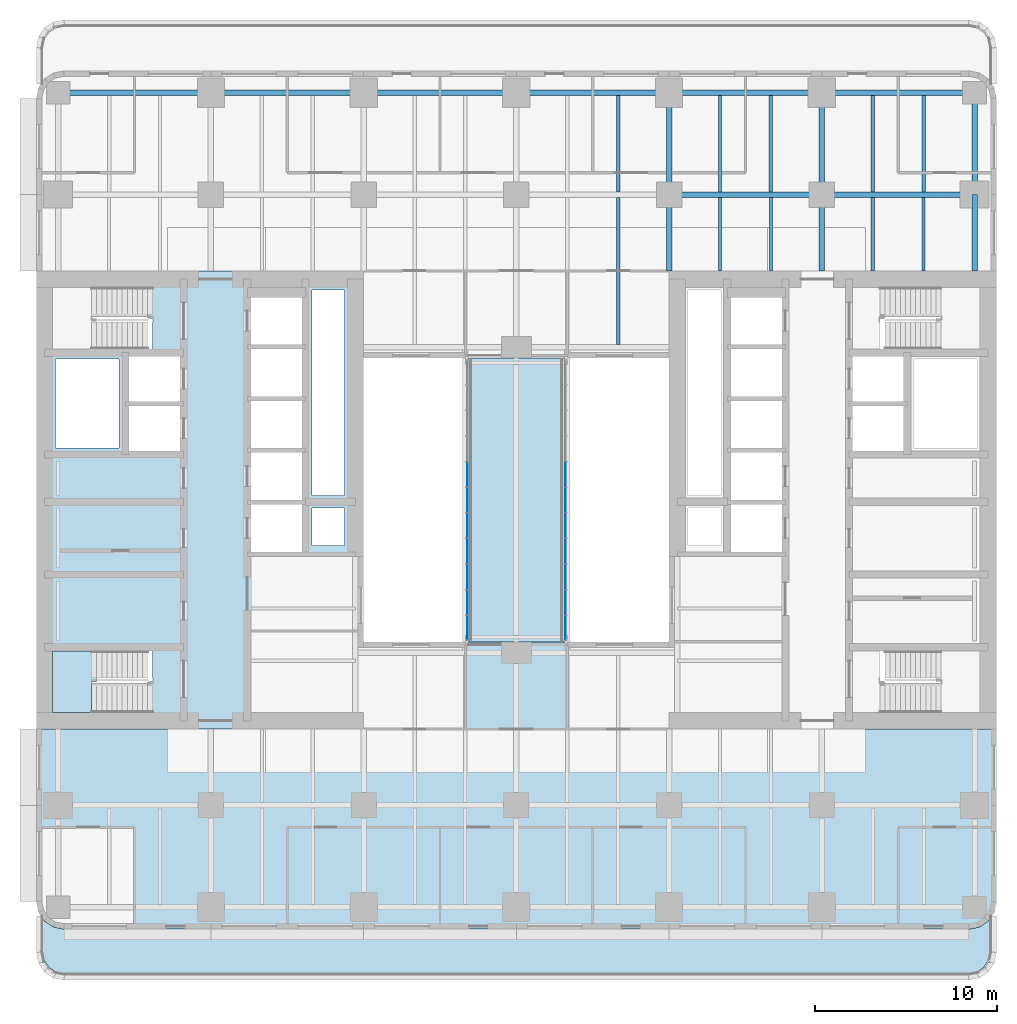
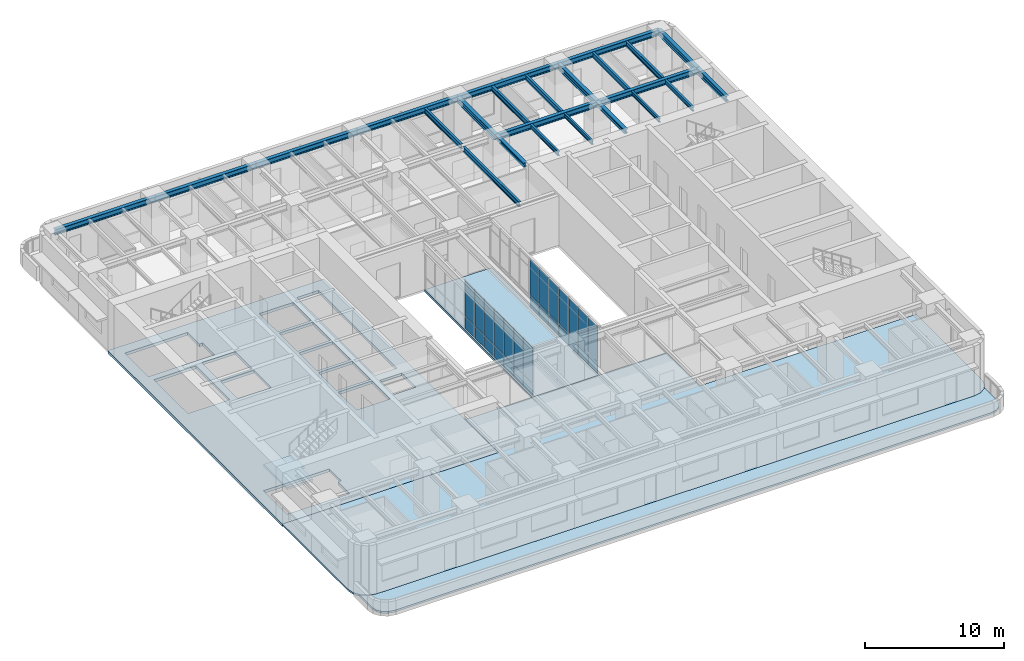
# One storey, part 6 of 17: 28 plates, 24 beams, 5 slabs, 3 elements without a shape of their own.
"""IFC4 building model written with IfcOpenShell, lengths in metres."""

from ifc_helpers import new_model, si_unit, direction, frame, origin, origin_2d, place, context, subcontext, project, spatial, polyline, rectangle, i_section, outline, extrude, material, layer, layer_set, material_profile, profile_set, type_object, element, aggregate, save


model = new_model("IFC4")

# Units and contexts
model_context = context("Model", 3, precision=1e-05, world=origin(), true_north=direction((0.0, 1.0)))
body_context = subcontext(model_context, "Body", "Model", "MODEL_VIEW")
ifc_project = project(units=[si_unit("LENGTHUNIT", "METRE"), si_unit("AREAUNIT", "SQUARE_METRE"), si_unit("VOLUMEUNIT", "CUBIC_METRE"), si_unit("PLANEANGLEUNIT", "RADIAN"), si_unit("MASSUNIT", "GRAM", prefix="KILO")], contexts=[model_context])

# Site, building, storey
site_placement = place(None, origin())
site = spatial("IfcSite", under=ifc_project, at=site_placement, CompositionType="ELEMENT")
building_placement = place(site_placement, origin())
building = spatial("IfcBuilding", under=site, at=building_placement, Name="Claustro Exchange Tower", CompositionType="ELEMENT")
storey_placement = place(building_placement, frame((0.0, 0.0, 96.300048828125)))
storey = spatial("IfcBuildingStorey", under=building, at=storey_placement, Name="L21", CompositionType="ELEMENT", Elevation=96.300048828125)

# Beams
ifc_material_1 = material(Name="Steel S355", Category="steel")
ifc_material_profile_1 = material_profile(ifc_material_1, i_section(OverallWidth=0.169921875, OverallDepth=0.360107421875, WebThickness=0.008056640625, FlangeThickness=0.0126953125, FilletRadius=0.01806640625, at=origin_2d()), Name="IPE 360")
ifc_profile_set_1 = profile_set([ifc_material_profile_1], Name="Steel S355")
beam_type_1 = type_object("IfcBeamType", Name="B16 IPE 360 short-span beam", PredefinedType="BEAM", material=ifc_profile_set_1)
for number, where, z_axis, x_axis, name in (
    (1, (36.39990234375, 37.7900390625, 4.169921875), (0.0, 1.0, 0.0), (-1.0, 0.0, 0.0), "Beam B16 L22"),
    (2, (39.199951171875, 37.7900390625, 4.169921875), (0.0, 1.0, 0.0), (-1.0, 0.0, 0.0), "Beam B16 L22"),
    (3, (44.800048828125, 37.7900390625, 4.169921875), (0.0, 1.0, 0.0), (-1.0, 0.0, 0.0), "Beam B16 L22"),
    (4, (47.60009765625, 37.7900390625, 4.169921875), (0.0, 1.0, 0.0), (-1.0, 0.0, 0.0), "Beam B16 L22"),
):
    element("IfcBeam", number, at=place(storey_placement, frame(where, z_axis=z_axis, x_axis=x_axis)), inside=storey, type_object=beam_type_1, Name=name, PredefinedType="BEAM", context=body_context, shape_type="SweptSolid", body=[
        extrude(i_section(OverallWidth=0.169921875, OverallDepth=0.360107421875, WebThickness=0.008056640625, FlangeThickness=0.0126953125, FilletRadius=0.01806640625, at=origin_2d()), origin(), (0.0, 0.0, 1.0), 4.06005859375),
    ])
ifc_material_2 = material(Name="Steel S355", Category="steel")
ifc_material_profile_2 = material_profile(ifc_material_2, i_section(OverallWidth=0.300048828125, OverallDepth=0.360107421875, WebThickness=0.012451171875, FlangeThickness=0.0224609375, FilletRadius=0.027099609375, at=origin_2d()), Name="HE 360 B")
ifc_profile_set_2 = profile_set([ifc_material_profile_2], Name="Steel S355")
beam_type_2 = type_object("IfcBeamType", Name="B29 HE 360 B column to core link beam", PredefinedType="BEAM", material=ifc_profile_set_2)
for number, where, z_axis, x_axis, name in (
    (5, (33.60009765625, 37.800048828125, 4.169921875), (0.0, 1.0, 0.0), (-1.0, 0.0, 0.0), "Beam B29 L22"),
    (6, (42.0, 37.800048828125, 4.169921875), (0.0, 1.0, 0.0), (-1.0, 0.0, 0.0), "Beam B29 L22"),
):
    element("IfcBeam", number, at=place(storey_placement, frame(where, z_axis=z_axis, x_axis=x_axis)), inside=storey, type_object=beam_type_2, Name=name, PredefinedType="BEAM", context=body_context, shape_type="SweptSolid", body=[
        extrude(i_section(OverallWidth=0.300048828125, OverallDepth=0.360107421875, WebThickness=0.012451171875, FlangeThickness=0.0224609375, FilletRadius=0.027099609375, at=origin_2d()), origin(), (0.0, 0.0, 1.0), 4.199951171875),
    ])
ifc_material_3 = material(Name="Steel S355", Category="steel")
ifc_material_profile_3 = material_profile(ifc_material_3, i_section(OverallWidth=0.300048828125, OverallDepth=0.5, WebThickness=0.014404296875, FlangeThickness=0.028076171875, FilletRadius=0.027099609375, at=origin_2d()), Name="HE 500 B")
ifc_profile_set_3 = profile_set([ifc_material_profile_3], Name="Steel S355")
beam_type_3 = type_object("IfcBeamType", Name="B7 HE 500 B floor girder", PredefinedType="BEAM", material=ifc_profile_set_3)
for number, where, z_axis, x_axis, name in (
    (7, (33.60009765625, 42.0, 4.099853515625), (0.0, 1.0, 0.0), (-1.0, 0.0, 0.0), "Beam B7 L22"),
    (8, (42.0, 42.0, 4.099853515625), (0.0, 1.0, 0.0), (-1.0, 0.0, 0.0), "Beam B7 L22"),
):
    element("IfcBeam", number, at=place(storey_placement, frame(where, z_axis=z_axis, x_axis=x_axis)), inside=storey, type_object=beam_type_3, Name=name, PredefinedType="BEAM", context=body_context, shape_type="SweptSolid", body=[
        extrude(i_section(OverallWidth=0.300048828125, OverallDepth=0.5, WebThickness=0.014404296875, FlangeThickness=0.028076171875, FilletRadius=0.027099609375, at=origin_2d()), origin(), (0.0, 0.0, 1.0), 5.60009765625),
    ])
for number, where, z_axis, x_axis, name in (
    (9, (33.60009765625, 42.0, 4.099853515625), (1.0, 0.0, 0.0), (0.0, 1.0, 0.0), "Beam B7 L22"),
    (10, (42.0, 42.0, 4.099853515625), (1.0, 0.0, 0.0), (0.0, 1.0, 0.0), "Beam B7 L22"),
):
    element("IfcBeam", number, at=place(storey_placement, frame(where, z_axis=z_axis, x_axis=x_axis)), inside=storey, type_object=beam_type_3, Name=name, PredefinedType="BEAM", context=body_context, shape_type="SweptSolid", body=[
        extrude(i_section(OverallWidth=0.300048828125, OverallDepth=0.5, WebThickness=0.014404296875, FlangeThickness=0.028076171875, FilletRadius=0.027099609375, at=origin_2d()), origin(), (0.0, 0.0, 1.0), 8.39990234375),
    ])
ifc_material_4 = material(Name="Steel S355", Category="steel")
ifc_material_profile_4 = material_profile(ifc_material_4, i_section(OverallWidth=0.18994140625, OverallDepth=0.449951171875, WebThickness=0.009521484375, FlangeThickness=0.0146484375, FilletRadius=0.02099609375, at=origin_2d()), Name="IPE 450")
ifc_profile_set_4 = profile_set([ifc_material_profile_4], Name="Steel S355")
beam_type_4 = type_object("IfcBeamType", Name="B8 IPE 450 secondary beam", PredefinedType="BEAM", material=ifc_profile_set_4)
beam_1_placement = place(storey_placement, frame((30.800048828125, 33.75, 4.125), z_axis=(0.0, 1.0, 0.0), x_axis=(-1.0, 0.0, 0.0)))
element("IfcBeam", 11, at=beam_1_placement, inside=storey, type_object=beam_type_4, Name="Beam B8 L22", PredefinedType="BEAM", context=body_context, shape_type="SweptSolid", body=[
    extrude(i_section(OverallWidth=0.18994140625, OverallDepth=0.449951171875, WebThickness=0.009521484375, FlangeThickness=0.0146484375, FilletRadius=0.02099609375, at=origin_2d()), origin(), (0.0, 0.0, 1.0), 8.10009765625),
])
for number, where, z_axis, x_axis, name in (
    (12, (30.800048828125, 42.14990234375, 4.125), (0.0, 1.0, 0.0), (-1.0, 0.0, 0.0), "Beam B8 L22"),
    (13, (36.39990234375, 42.14990234375, 4.125), (0.0, 1.0, 0.0), (-1.0, 0.0, 0.0), "Beam B8 L22"),
    (14, (39.199951171875, 42.14990234375, 4.125), (0.0, 1.0, 0.0), (-1.0, 0.0, 0.0), "Beam B8 L22"),
    (15, (44.800048828125, 42.14990234375, 4.125), (0.0, 1.0, 0.0), (-1.0, 0.0, 0.0), "Beam B8 L22"),
    (16, (47.60009765625, 42.14990234375, 4.125), (0.0, 1.0, 0.0), (-1.0, 0.0, 0.0), "Beam B8 L22"),
):
    element("IfcBeam", number, at=place(storey_placement, frame(where, z_axis=z_axis, x_axis=x_axis)), inside=storey, type_object=beam_type_4, Name=name, PredefinedType="BEAM", context=body_context, shape_type="SweptSolid", body=[
        extrude(i_section(OverallWidth=0.18994140625, OverallDepth=0.449951171875, WebThickness=0.009521484375, FlangeThickness=0.0146484375, FilletRadius=0.02099609375, at=origin_2d()), origin(), (0.0, 0.0, 1.0), 5.300048828125),
    ])
ifc_material_5 = material(Name="Steel S355", Category="steel")
ifc_material_profile_5 = material_profile(ifc_material_5, i_section(OverallWidth=0.300048828125, OverallDepth=0.489990234375, WebThickness=0.011962890625, FlangeThickness=0.02294921875, FilletRadius=0.027099609375, at=origin_2d()), Name="HE 500 A")
ifc_profile_set_5 = profile_set([ifc_material_profile_5], Name="Steel S355")
beam_type_5 = type_object("IfcBeamType", Name="B9 HE 500 A spandrel edge girder", PredefinedType="SPANDREL", material=ifc_profile_set_5)
beam_2_placement = place(storey_placement, frame((50.39990234375, 37.800048828125, 4.10498046875), z_axis=(0.0, 1.0, 0.0), x_axis=(-1.0, 0.0, 0.0)))
element("IfcBeam", 17, at=beam_2_placement, inside=storey, type_object=beam_type_5, Name="Beam B9 L22", PredefinedType="SPANDREL", context=body_context, shape_type="SweptSolid", body=[
    extrude(i_section(OverallWidth=0.300048828125, OverallDepth=0.489990234375, WebThickness=0.011962890625, FlangeThickness=0.02294921875, FilletRadius=0.027099609375, at=origin_2d()), origin(), (0.0, 0.0, 1.0), 4.199951171875),
])
beam_3_placement = place(storey_placement, frame((50.39990234375, 42.0, 4.10498046875), z_axis=(0.0, 1.0, 0.0), x_axis=(-1.0, 0.0, 0.0)))
element("IfcBeam", 18, at=beam_3_placement, inside=storey, type_object=beam_type_5, Name="Beam B9 L22", PredefinedType="SPANDREL", context=body_context, shape_type="SweptSolid", body=[
    extrude(i_section(OverallWidth=0.300048828125, OverallDepth=0.489990234375, WebThickness=0.011962890625, FlangeThickness=0.02294921875, FilletRadius=0.027099609375, at=origin_2d()), origin(), (0.0, 0.0, 1.0), 5.60009765625),
])
beam_4_placement = place(storey_placement, frame((0.0, 47.60009765625, 4.10498046875), z_axis=(1.0, 0.0, 0.0), x_axis=(0.0, 1.0, 0.0)))
element("IfcBeam", 19, at=beam_4_placement, inside=storey, type_object=beam_type_5, Name="Beam B9 L22", PredefinedType="SPANDREL", context=body_context, shape_type="SweptSolid", body=[
    extrude(i_section(OverallWidth=0.300048828125, OverallDepth=0.489990234375, WebThickness=0.011962890625, FlangeThickness=0.02294921875, FilletRadius=0.027099609375, at=origin_2d()), origin(), (0.0, 0.0, 1.0), 8.39990234375),
])
beam_5_placement = place(storey_placement, frame((8.39990234375, 47.60009765625, 4.10498046875), z_axis=(1.0, 0.0, 0.0), x_axis=(0.0, 1.0, 0.0)))
element("IfcBeam", 20, at=beam_5_placement, inside=storey, type_object=beam_type_5, Name="Beam B9 L22", PredefinedType="SPANDREL", context=body_context, shape_type="SweptSolid", body=[
    extrude(i_section(OverallWidth=0.300048828125, OverallDepth=0.489990234375, WebThickness=0.011962890625, FlangeThickness=0.02294921875, FilletRadius=0.027099609375, at=origin_2d()), origin(), (0.0, 0.0, 1.0), 8.400146484375),
])
beam_6_placement = place(storey_placement, frame((16.800048828125, 47.60009765625, 4.10498046875), z_axis=(1.0, 0.0, 0.0), x_axis=(0.0, 1.0, 0.0)))
element("IfcBeam", 21, at=beam_6_placement, inside=storey, type_object=beam_type_5, Name="Beam B9 L22", PredefinedType="SPANDREL", context=body_context, shape_type="SweptSolid", body=[
    extrude(i_section(OverallWidth=0.300048828125, OverallDepth=0.489990234375, WebThickness=0.011962890625, FlangeThickness=0.02294921875, FilletRadius=0.027099609375, at=origin_2d()), origin(), (0.0, 0.0, 1.0), 8.39990234375),
])
beam_7_placement = place(storey_placement, frame((25.199951171875, 47.60009765625, 4.10498046875), z_axis=(1.0, 0.0, 0.0), x_axis=(0.0, 1.0, 0.0)))
element("IfcBeam", 22, at=beam_7_placement, inside=storey, type_object=beam_type_5, Name="Beam B9 L22", PredefinedType="SPANDREL", context=body_context, shape_type="SweptSolid", body=[
    extrude(i_section(OverallWidth=0.300048828125, OverallDepth=0.489990234375, WebThickness=0.011962890625, FlangeThickness=0.02294921875, FilletRadius=0.027099609375, at=origin_2d()), origin(), (0.0, 0.0, 1.0), 8.400146484375),
])
for number, where, z_axis, x_axis, name in (
    (23, (33.60009765625, 47.60009765625, 4.10498046875), (1.0, 0.0, 0.0), (0.0, 1.0, 0.0), "Beam B9 L22"),
    (24, (42.0, 47.60009765625, 4.10498046875), (1.0, 0.0, 0.0), (0.0, 1.0, 0.0), "Beam B9 L22"),
):
    element("IfcBeam", number, at=place(storey_placement, frame(where, z_axis=z_axis, x_axis=x_axis)), inside=storey, type_object=beam_type_5, Name=name, PredefinedType="SPANDREL", context=body_context, shape_type="SweptSolid", body=[
        extrude(i_section(OverallWidth=0.300048828125, OverallDepth=0.489990234375, WebThickness=0.011962890625, FlangeThickness=0.02294921875, FilletRadius=0.027099609375, at=origin_2d()), origin(), (0.0, 0.0, 1.0), 8.39990234375),
    ])

# Curtain wall, plates
ifc_material_6 = material(Name="Aluminium frame, clear double glazing", Category="aluminium")
curtain_wall_type = type_object("IfcCurtainWallType", Name="CW2 sky bridge curtain wall", PredefinedType="USERDEFINED", material=ifc_material_6)
curtain_wall_1_placement = place(storey_placement, origin())
curtain_wall_1 = element("IfcCurtainWall", 25, at=curtain_wall_1_placement, inside=storey, type_object=curtain_wall_type, Name="Curtain wall CW2 L21", ObjectType="STICK CURTAIN WALL", PredefinedType="USERDEFINED")
ifc_material_7 = material(Name="Clear double glazing", Category="glass")
ifc_layer_1 = layer(ifc_material_7, 0.028076171875)
ifc_layer_set_1 = layer_set([ifc_layer_1], Name="Clear double glazing")
plate_type = type_object("IfcPlateType", Name="CW2-P 28 glazed panel", PredefinedType="CURTAIN_PANEL", material=ifc_layer_set_1)
plate_1_placement = place(storey_placement, frame((22.5, 18.16943359375, 0.06005859375), z_axis=(0.0, 0.0, 1.0), x_axis=(0.0, 1.0, 0.0)))
plate_1 = element("IfcPlate", 26, at=plate_1_placement, type_object=plate_type, Name="CW2 panel 1.1", PredefinedType="CURTAIN_PANEL", context=body_context, shape_type="SweptSolid", body=[
    extrude(rectangle(XDim=1.319091796875, YDim=0.028076171875, at=origin_2d()), origin(), (0.0, 0.0, 1.0), 1.010009765625),
])
plate_2_placement = place(storey_placement, frame((22.5, 18.16943359375, 1.1298828125), z_axis=(0.0, 0.0, 1.0), x_axis=(0.0, 1.0, 0.0)))
plate_2 = element("IfcPlate", 27, at=plate_2_placement, type_object=plate_type, Name="CW2 panel 1.2", PredefinedType="CURTAIN_PANEL", context=body_context, shape_type="SweptSolid", body=[
    extrude(rectangle(XDim=1.319091796875, YDim=0.028076171875, at=origin_2d()), origin(), (0.0, 0.0, 1.0), 3.110107421875),
])
plate_3_placement = place(storey_placement, frame((22.5, 19.563720703125, 0.06005859375), z_axis=(0.0, 0.0, 1.0), x_axis=(0.0, 1.0, 0.0)))
plate_3 = element("IfcPlate", 28, at=plate_3_placement, type_object=plate_type, Name="CW2 panel 2.1", PredefinedType="CURTAIN_PANEL", context=body_context, shape_type="SweptSolid", body=[
    extrude(rectangle(XDim=1.34912109375, YDim=0.028076171875, at=origin_2d()), origin(), (0.0, 0.0, 1.0), 1.010009765625),
])
plate_4_placement = place(storey_placement, frame((22.5, 19.563720703125, 1.1298828125), z_axis=(0.0, 0.0, 1.0), x_axis=(0.0, 1.0, 0.0)))
plate_4 = element("IfcPlate", 29, at=plate_4_placement, type_object=plate_type, Name="CW2 panel 2.2", PredefinedType="CURTAIN_PANEL", context=body_context, shape_type="SweptSolid", body=[
    extrude(rectangle(XDim=1.34912109375, YDim=0.028076171875, at=origin_2d()), origin(), (0.0, 0.0, 1.0), 3.110107421875),
])
plate_5_placement = place(storey_placement, frame((22.5, 20.97265625, 0.06005859375), z_axis=(0.0, 0.0, 1.0), x_axis=(0.0, 1.0, 0.0)))
plate_5 = element("IfcPlate", 30, at=plate_5_placement, type_object=plate_type, Name="CW2 panel 3.1", PredefinedType="CURTAIN_PANEL", context=body_context, shape_type="SweptSolid", body=[
    extrude(rectangle(XDim=1.34912109375, YDim=0.028076171875, at=origin_2d()), origin(), (0.0, 0.0, 1.0), 1.010009765625),
])
plate_6_placement = place(storey_placement, frame((22.5, 20.97265625, 1.1298828125), z_axis=(0.0, 0.0, 1.0), x_axis=(0.0, 1.0, 0.0)))
plate_6 = element("IfcPlate", 31, at=plate_6_placement, type_object=plate_type, Name="CW2 panel 3.2", PredefinedType="CURTAIN_PANEL", context=body_context, shape_type="SweptSolid", body=[
    extrude(rectangle(XDim=1.34912109375, YDim=0.028076171875, at=origin_2d()), origin(), (0.0, 0.0, 1.0), 3.110107421875),
])
plate_7_placement = place(storey_placement, frame((22.5, 22.3818359375, 0.06005859375), z_axis=(0.0, 0.0, 1.0), x_axis=(0.0, 1.0, 0.0)))
plate_7 = element("IfcPlate", 32, at=plate_7_placement, type_object=plate_type, Name="CW2 panel 4.1", PredefinedType="CURTAIN_PANEL", context=body_context, shape_type="SweptSolid", body=[
    extrude(rectangle(XDim=1.34912109375, YDim=0.028076171875, at=origin_2d()), origin(), (0.0, 0.0, 1.0), 1.010009765625),
])
plate_8_placement = place(storey_placement, frame((22.5, 22.3818359375, 1.1298828125), z_axis=(0.0, 0.0, 1.0), x_axis=(0.0, 1.0, 0.0)))
plate_8 = element("IfcPlate", 33, at=plate_8_placement, type_object=plate_type, Name="CW2 panel 4.2", PredefinedType="CURTAIN_PANEL", context=body_context, shape_type="SweptSolid", body=[
    extrude(rectangle(XDim=1.34912109375, YDim=0.028076171875, at=origin_2d()), origin(), (0.0, 0.0, 1.0), 3.110107421875),
])
plate_9_placement = place(storey_placement, frame((22.5, 23.791015625, 0.06005859375), z_axis=(0.0, 0.0, 1.0), x_axis=(0.0, 1.0, 0.0)))
plate_9 = element("IfcPlate", 34, at=plate_9_placement, type_object=plate_type, Name="CW2 panel 5.1", PredefinedType="CURTAIN_PANEL", context=body_context, shape_type="SweptSolid", body=[
    extrude(rectangle(XDim=1.34912109375, YDim=0.028076171875, at=origin_2d()), origin(), (0.0, 0.0, 1.0), 1.010009765625),
])
plate_10_placement = place(storey_placement, frame((22.5, 23.791015625, 1.1298828125), z_axis=(0.0, 0.0, 1.0), x_axis=(0.0, 1.0, 0.0)))
plate_10 = element("IfcPlate", 35, at=plate_10_placement, type_object=plate_type, Name="CW2 panel 5.2", PredefinedType="CURTAIN_PANEL", context=body_context, shape_type="SweptSolid", body=[
    extrude(rectangle(XDim=1.34912109375, YDim=0.028076171875, at=origin_2d()), origin(), (0.0, 0.0, 1.0), 3.110107421875),
])
plate_11_placement = place(storey_placement, frame((22.5, 25.199951171875, 0.06005859375), z_axis=(0.0, 0.0, 1.0), x_axis=(0.0, 1.0, 0.0)))
plate_11 = element("IfcPlate", 36, at=plate_11_placement, type_object=plate_type, Name="CW2 panel 6.1", PredefinedType="CURTAIN_PANEL", context=body_context, shape_type="SweptSolid", body=[
    extrude(rectangle(XDim=1.34912109375, YDim=0.028076171875, at=origin_2d()), origin(), (0.0, 0.0, 1.0), 1.010009765625),
])
plate_12_placement = place(storey_placement, frame((22.5, 25.199951171875, 1.1298828125), z_axis=(0.0, 0.0, 1.0), x_axis=(0.0, 1.0, 0.0)))
plate_12 = element("IfcPlate", 37, at=plate_12_placement, type_object=plate_type, Name="CW2 panel 6.2", PredefinedType="CURTAIN_PANEL", context=body_context, shape_type="SweptSolid", body=[
    extrude(rectangle(XDim=1.34912109375, YDim=0.028076171875, at=origin_2d()), origin(), (0.0, 0.0, 1.0), 3.110107421875),
])
plate_13_placement = place(storey_placement, frame((22.5, 26.609130859375, 0.06005859375), z_axis=(0.0, 0.0, 1.0), x_axis=(0.0, 1.0, 0.0)))
plate_13 = element("IfcPlate", 38, at=plate_13_placement, type_object=plate_type, Name="CW2 panel 7.1", PredefinedType="CURTAIN_PANEL", context=body_context, shape_type="SweptSolid", body=[
    extrude(rectangle(XDim=1.34912109375, YDim=0.028076171875, at=origin_2d()), origin(), (0.0, 0.0, 1.0), 1.010009765625),
])
plate_14_placement = place(storey_placement, frame((22.5, 26.609130859375, 1.1298828125), z_axis=(0.0, 0.0, 1.0), x_axis=(0.0, 1.0, 0.0)))
plate_14 = element("IfcPlate", 39, at=plate_14_placement, type_object=plate_type, Name="CW2 panel 7.2", PredefinedType="CURTAIN_PANEL", context=body_context, shape_type="SweptSolid", body=[
    extrude(rectangle(XDim=1.34912109375, YDim=0.028076171875, at=origin_2d()), origin(), (0.0, 0.0, 1.0), 3.110107421875),
])
aggregate(curtain_wall_1, [plate_1, plate_2, plate_3, plate_4, plate_5, plate_6, plate_7, plate_8, plate_9, plate_10, plate_11, plate_12, plate_13, plate_14])

curtain_wall_2_placement = place(storey_placement, origin())
curtain_wall_2 = element("IfcCurtainWall", 40, at=curtain_wall_2_placement, inside=storey, type_object=curtain_wall_type, Name="Curtain wall CW2 L21", ObjectType="STICK CURTAIN WALL", PredefinedType="USERDEFINED")
plate_15_placement = place(storey_placement, frame((27.89990234375, 18.16943359375, 0.06005859375), z_axis=(0.0, 0.0, 1.0), x_axis=(0.0, 1.0, 0.0)))
plate_15 = element("IfcPlate", 41, at=plate_15_placement, type_object=plate_type, Name="CW2 panel 1.1", PredefinedType="CURTAIN_PANEL", context=body_context, shape_type="SweptSolid", body=[
    extrude(rectangle(XDim=1.319091796875, YDim=0.028076171875, at=origin_2d()), origin(), (0.0, 0.0, 1.0), 1.010009765625),
])
plate_16_placement = place(storey_placement, frame((27.89990234375, 18.16943359375, 1.1298828125), z_axis=(0.0, 0.0, 1.0), x_axis=(0.0, 1.0, 0.0)))
plate_16 = element("IfcPlate", 42, at=plate_16_placement, type_object=plate_type, Name="CW2 panel 1.2", PredefinedType="CURTAIN_PANEL", context=body_context, shape_type="SweptSolid", body=[
    extrude(rectangle(XDim=1.319091796875, YDim=0.028076171875, at=origin_2d()), origin(), (0.0, 0.0, 1.0), 3.110107421875),
])
plate_17_placement = place(storey_placement, frame((27.89990234375, 19.563720703125, 0.06005859375), z_axis=(0.0, 0.0, 1.0), x_axis=(0.0, 1.0, 0.0)))
plate_17 = element("IfcPlate", 43, at=plate_17_placement, type_object=plate_type, Name="CW2 panel 2.1", PredefinedType="CURTAIN_PANEL", context=body_context, shape_type="SweptSolid", body=[
    extrude(rectangle(XDim=1.34912109375, YDim=0.028076171875, at=origin_2d()), origin(), (0.0, 0.0, 1.0), 1.010009765625),
])
plate_18_placement = place(storey_placement, frame((27.89990234375, 19.563720703125, 1.1298828125), z_axis=(0.0, 0.0, 1.0), x_axis=(0.0, 1.0, 0.0)))
plate_18 = element("IfcPlate", 44, at=plate_18_placement, type_object=plate_type, Name="CW2 panel 2.2", PredefinedType="CURTAIN_PANEL", context=body_context, shape_type="SweptSolid", body=[
    extrude(rectangle(XDim=1.34912109375, YDim=0.028076171875, at=origin_2d()), origin(), (0.0, 0.0, 1.0), 3.110107421875),
])
plate_19_placement = place(storey_placement, frame((27.89990234375, 20.97265625, 0.06005859375), z_axis=(0.0, 0.0, 1.0), x_axis=(0.0, 1.0, 0.0)))
plate_19 = element("IfcPlate", 45, at=plate_19_placement, type_object=plate_type, Name="CW2 panel 3.1", PredefinedType="CURTAIN_PANEL", context=body_context, shape_type="SweptSolid", body=[
    extrude(rectangle(XDim=1.34912109375, YDim=0.028076171875, at=origin_2d()), origin(), (0.0, 0.0, 1.0), 1.010009765625),
])
plate_20_placement = place(storey_placement, frame((27.89990234375, 20.97265625, 1.1298828125), z_axis=(0.0, 0.0, 1.0), x_axis=(0.0, 1.0, 0.0)))
plate_20 = element("IfcPlate", 46, at=plate_20_placement, type_object=plate_type, Name="CW2 panel 3.2", PredefinedType="CURTAIN_PANEL", context=body_context, shape_type="SweptSolid", body=[
    extrude(rectangle(XDim=1.34912109375, YDim=0.028076171875, at=origin_2d()), origin(), (0.0, 0.0, 1.0), 3.110107421875),
])
plate_21_placement = place(storey_placement, frame((27.89990234375, 22.3818359375, 0.06005859375), z_axis=(0.0, 0.0, 1.0), x_axis=(0.0, 1.0, 0.0)))
plate_21 = element("IfcPlate", 47, at=plate_21_placement, type_object=plate_type, Name="CW2 panel 4.1", PredefinedType="CURTAIN_PANEL", context=body_context, shape_type="SweptSolid", body=[
    extrude(rectangle(XDim=1.34912109375, YDim=0.028076171875, at=origin_2d()), origin(), (0.0, 0.0, 1.0), 1.010009765625),
])
plate_22_placement = place(storey_placement, frame((27.89990234375, 22.3818359375, 1.1298828125), z_axis=(0.0, 0.0, 1.0), x_axis=(0.0, 1.0, 0.0)))
plate_22 = element("IfcPlate", 48, at=plate_22_placement, type_object=plate_type, Name="CW2 panel 4.2", PredefinedType="CURTAIN_PANEL", context=body_context, shape_type="SweptSolid", body=[
    extrude(rectangle(XDim=1.34912109375, YDim=0.028076171875, at=origin_2d()), origin(), (0.0, 0.0, 1.0), 3.110107421875),
])
plate_23_placement = place(storey_placement, frame((27.89990234375, 23.791015625, 0.06005859375), z_axis=(0.0, 0.0, 1.0), x_axis=(0.0, 1.0, 0.0)))
plate_23 = element("IfcPlate", 49, at=plate_23_placement, type_object=plate_type, Name="CW2 panel 5.1", PredefinedType="CURTAIN_PANEL", context=body_context, shape_type="SweptSolid", body=[
    extrude(rectangle(XDim=1.34912109375, YDim=0.028076171875, at=origin_2d()), origin(), (0.0, 0.0, 1.0), 1.010009765625),
])
plate_24_placement = place(storey_placement, frame((27.89990234375, 23.791015625, 1.1298828125), z_axis=(0.0, 0.0, 1.0), x_axis=(0.0, 1.0, 0.0)))
plate_24 = element("IfcPlate", 50, at=plate_24_placement, type_object=plate_type, Name="CW2 panel 5.2", PredefinedType="CURTAIN_PANEL", context=body_context, shape_type="SweptSolid", body=[
    extrude(rectangle(XDim=1.34912109375, YDim=0.028076171875, at=origin_2d()), origin(), (0.0, 0.0, 1.0), 3.110107421875),
])
plate_25_placement = place(storey_placement, frame((27.89990234375, 25.199951171875, 0.06005859375), z_axis=(0.0, 0.0, 1.0), x_axis=(0.0, 1.0, 0.0)))
plate_25 = element("IfcPlate", 51, at=plate_25_placement, type_object=plate_type, Name="CW2 panel 6.1", PredefinedType="CURTAIN_PANEL", context=body_context, shape_type="SweptSolid", body=[
    extrude(rectangle(XDim=1.34912109375, YDim=0.028076171875, at=origin_2d()), origin(), (0.0, 0.0, 1.0), 1.010009765625),
])
plate_26_placement = place(storey_placement, frame((27.89990234375, 25.199951171875, 1.1298828125), z_axis=(0.0, 0.0, 1.0), x_axis=(0.0, 1.0, 0.0)))
plate_26 = element("IfcPlate", 52, at=plate_26_placement, type_object=plate_type, Name="CW2 panel 6.2", PredefinedType="CURTAIN_PANEL", context=body_context, shape_type="SweptSolid", body=[
    extrude(rectangle(XDim=1.34912109375, YDim=0.028076171875, at=origin_2d()), origin(), (0.0, 0.0, 1.0), 3.110107421875),
])
plate_27_placement = place(storey_placement, frame((27.89990234375, 26.609130859375, 0.06005859375), z_axis=(0.0, 0.0, 1.0), x_axis=(0.0, 1.0, 0.0)))
plate_27 = element("IfcPlate", 53, at=plate_27_placement, type_object=plate_type, Name="CW2 panel 7.1", PredefinedType="CURTAIN_PANEL", context=body_context, shape_type="SweptSolid", body=[
    extrude(rectangle(XDim=1.34912109375, YDim=0.028076171875, at=origin_2d()), origin(), (0.0, 0.0, 1.0), 1.010009765625),
])
plate_28_placement = place(storey_placement, frame((27.89990234375, 26.609130859375, 1.1298828125), z_axis=(0.0, 0.0, 1.0), x_axis=(0.0, 1.0, 0.0)))
plate_28 = element("IfcPlate", 54, at=plate_28_placement, type_object=plate_type, Name="CW2 panel 7.2", PredefinedType="CURTAIN_PANEL", context=body_context, shape_type="SweptSolid", body=[
    extrude(rectangle(XDim=1.34912109375, YDim=0.028076171875, at=origin_2d()), origin(), (0.0, 0.0, 1.0), 3.110107421875),
])
aggregate(curtain_wall_2, [plate_15, plate_16, plate_17, plate_18, plate_19, plate_20, plate_21, plate_22, plate_23, plate_24, plate_25, plate_26, plate_27, plate_28])

# Slabs
ifc_material_8 = material(Name="Precast concrete HA-30 (C30/37) paving slabs on adjustable pedestals over the inverted roof membrane", Category="concrete")
ifc_layer_2 = layer(ifc_material_8, 0.159912109375)
ifc_layer_set_2 = layer_set([ifc_layer_2], Name="Precast concrete HA-30 (C30/37) paving slabs on adjustable pedestals over the inverted roof membrane")
slab_type_1 = type_object("IfcSlabType", Name="PV2 160 terrace paving on pedestals", PredefinedType="USERDEFINED", material=ifc_layer_set_2)
slab_1_placement = place(storey_placement, frame((0.0, 0.0, -0.16015625)))
element("IfcSlab", 55, at=slab_1_placement, inside=storey, type_object=slab_type_1, Name="Terrace paving PV2 L21", ObjectType="PAVING", PredefinedType="USERDEFINED", context=body_context, shape_type="SweptSolid", body=[
    extrude(outline(polyline([(51.25, 0.33447265625), (51.25, 1.654052734375), (51.25, 1.677978515625), (51.25, 2.173095703125), (51.16064453125, 2.039306640625), (50.674072265625, 1.714111328125), (50.10009765625, 1.60009765625), (0.300048828125, 1.60009765625), (-0.27392578125, 1.714111328125), (-0.7607421875, 2.039306640625), (-0.85009765625, 2.173095703125), (-0.85009765625, 1.677978515625), (-0.85009765625, 1.654052734375), (-0.85009765625, 0.33447265625), (-0.756103515625, -0.137451171875), (-0.50830078125, -0.50830078125), (-0.137451171875, -0.756103515625), (0.33447265625, -0.85009765625), (50.0654296875, -0.85009765625), (50.53759765625, -0.756103515625), (50.908447265625, -0.50830078125), (51.156005859375, -0.137451171875), (51.25, 0.33447265625)])), origin(), (0.0, 0.0, 1.0), 0.16015625),
])
ifc_material_9 = material(Name="Concrete HA-50 (C50/60)", Category="concrete")
ifc_layer_3 = layer(ifc_material_9, 0.159912109375)
ifc_layer_set_3 = layer_set([ifc_layer_3], Name="Concrete HA-50 (C50/60)")
slab_type_2 = type_object("IfcSlabType", Name="S1 160 composite floor slab", PredefinedType="FLOOR", material=ifc_layer_set_3)
slab_2_placement = place(storey_placement, frame((0.0, 0.0, -0.16015625)))
element("IfcSlab", 56, at=slab_2_placement, inside=storey, type_object=slab_type_2, Name="Floor slab S1 S L21", PredefinedType="FLOOR", context=body_context, shape_type="SweptSolid", body=[
    extrude(outline(polyline([(-0.27392578125, 1.714111328125), (0.300048828125, 1.60009765625), (50.10009765625, 1.60009765625), (50.674072265625, 1.714111328125), (51.16064453125, 2.039306640625), (51.48583984375, 2.52587890625), (51.60009765625, 3.10009765625), (51.60009765625, 12.60009765625), (33.60009765625, 12.60009765625), (33.60009765625, 17.39990234375), (16.800048828125, 17.39990234375), (16.800048828125, 12.60009765625), (-1.199951171875, 12.60009765625), (-1.199951171875, 3.10009765625), (-1.085693359375, 2.52587890625), (-0.7607421875, 2.039306640625), (-0.27392578125, 1.714111328125)])), origin(), (0.0, 0.0, 1.0), 0.16015625),
])
ifc_material_10 = material(Name="Concrete HA-50 (C50/60)", Category="concrete")
ifc_layer_4 = layer(ifc_material_10, 0.179931640625)
ifc_layer_set_4 = layer_set([ifc_layer_4], Name="Concrete HA-50 (C50/60)")
slab_type_3 = type_object("IfcSlabType", Name="S11 180 sky bridge composite slab", PredefinedType="FLOOR", material=ifc_layer_set_4)
slab_3_placement = place(storey_placement, frame((0.0, 0.0, -0.179931640625)))
element("IfcSlab", 57, at=slab_3_placement, inside=storey, type_object=slab_type_3, Name="Sky bridge floor slab S11 L21", PredefinedType="FLOOR", context=body_context, shape_type="SweptSolid", body=[
    extrude(outline(polyline([(28.0, 17.39990234375), (28.0, 33.0), (22.39990234375, 33.0), (22.39990234375, 17.39990234375), (28.0, 17.39990234375)])), origin(), (0.0, 0.0, 1.0), 0.179931640625),
])
ifc_material_11 = material(Name="Concrete HA-50 (C50/60)", Category="concrete")
ifc_layer_5 = layer(ifc_material_11, 0.25)
ifc_layer_set_5 = layer_set([ifc_layer_5], Name="Concrete HA-50 (C50/60)")
slab_type_4 = type_object("IfcSlabType", Name="S7 250 core floor slab", PredefinedType="FLOOR", material=ifc_layer_set_5)
slab_4_placement = place(storey_placement, frame((0.0, 0.0, -0.25)))
element("IfcSlab", 58, at=slab_4_placement, inside=storey, type_object=slab_type_4, Name="Core floor slab S7 W core L21", PredefinedType="FLOOR", context=body_context, shape_type="SweptSolid", body=[
    extrude(outline(polyline([(-1.199951171875, 12.60009765625), (16.800048828125, 12.60009765625), (16.800048828125, 37.800048828125), (-1.199951171875, 37.800048828125), (-1.199951171875, 12.60009765625)]), holes=[polyline([(13.949951171875, 24.75), (15.75, 24.75), (15.75, 22.699951171875), (13.949951171875, 22.699951171875), (13.949951171875, 24.75)]), polyline([(13.949951171875, 36.75), (15.75, 36.75), (15.75, 25.449951171875), (13.949951171875, 25.449951171875), (13.949951171875, 36.75)]), polyline([(13.39990234375, 24.949951171875), (13.39990234375, 22.35009765625), (10.60009765625, 22.35009765625), (10.60009765625, 24.949951171875), (13.39990234375, 24.949951171875)]), polyline([(13.39990234375, 27.800048828125), (13.39990234375, 25.199951171875), (10.60009765625, 25.199951171875), (10.60009765625, 27.800048828125), (13.39990234375, 27.800048828125)]), polyline([(13.39990234375, 30.64990234375), (13.39990234375, 28.050048828125), (10.60009765625, 28.050048828125), (10.60009765625, 30.64990234375), (13.39990234375, 30.64990234375)]), polyline([(13.39990234375, 33.5), (13.39990234375, 30.89990234375), (10.60009765625, 30.89990234375), (10.60009765625, 33.5), (13.39990234375, 33.5)]), polyline([(13.39990234375, 36.35009765625), (13.39990234375, 33.75), (10.60009765625, 33.75), (10.60009765625, 36.35009765625), (13.39990234375, 36.35009765625)]), polyline([(6.699951171875, 30.375), (6.699951171875, 27.89990234375), (3.89990234375, 27.89990234375), (3.89990234375, 30.375), (6.699951171875, 30.375)]), polyline([(6.699951171875, 33.10009765625), (6.699951171875, 30.625), (3.89990234375, 30.625), (3.89990234375, 33.10009765625), (6.699951171875, 33.10009765625)]), polyline([(-0.300048828125, 15.199951171875), (-0.300048828125, 16.89990234375), (5.195068359375, 16.89990234375), (5.195068359375, 15.199951171875), (4.919921875, 15.199951171875), (4.919921875, 13.5), (-0.300048828125, 13.5), (-0.300048828125, 15.199951171875)]), polyline([(-0.300048828125, 35.199951171875), (-0.300048828125, 36.89990234375), (4.919921875, 36.89990234375), (4.919921875, 35.199951171875), (5.195068359375, 35.199951171875), (5.195068359375, 33.5), (-0.300048828125, 33.5), (-0.300048828125, 35.199951171875)]), polyline([(-0.14990234375, 32.949951171875), (3.35009765625, 32.949951171875), (3.35009765625, 28.050048828125), (-0.14990234375, 28.050048828125), (-0.14990234375, 32.949951171875)])]), origin(), (0.0, 0.0, 1.0), 0.25),
])

# Stair, slab
ifc_material_12 = material(Name="Concrete HA-30 (C30/37), precast", Category="concrete")
stair_type = type_object("IfcStairType", Name="ST2 half-turn stair, 25 risers of 180", PredefinedType="HALF_TURN_STAIR", material=ifc_material_12)
stair_placement = place(storey_placement, origin())
stair = element("IfcStair", 59, at=stair_placement, inside=storey, type_object=stair_type, Name="Stair STWA L21", PredefinedType="HALF_TURN_STAIR")
ifc_material_13 = material(Name="Concrete HA-30 (C30/37), precast", Category="concrete")
ifc_layer_6 = layer(ifc_material_13, 0.199951171875)
ifc_layer_set_6 = layer_set([ifc_layer_6], Name="Concrete HA-30 (C30/37), precast")
slab_type_5 = type_object("IfcSlabType", Name="S9 200 stair landing", PredefinedType="LANDING", material=ifc_layer_set_6)
slab_5_placement = place(storey_placement, frame((0.0, 0.0, 2.139892578125)))
slab_5 = element("IfcSlab", 60, at=slab_5_placement, type_object=slab_type_5, Name="STWA landing 1", PredefinedType="LANDING", context=body_context, shape_type="SweptSolid", body=[
    extrude(outline(polyline([(1.844970703125, 13.5), (-0.300048828125, 13.5), (-0.300048828125, 16.89990234375), (1.840087890625, 16.89990234375), (1.844970703125, 16.89990234375), (2.1201171875, 16.89990234375), (2.1201171875, 15.199951171875), (1.844970703125, 15.199951171875), (1.844970703125, 13.5)])), origin(), (0.0, 0.0, 1.0), 0.199951171875),
])
aggregate(stair, [slab_5])

save(model, "model.ifc")
